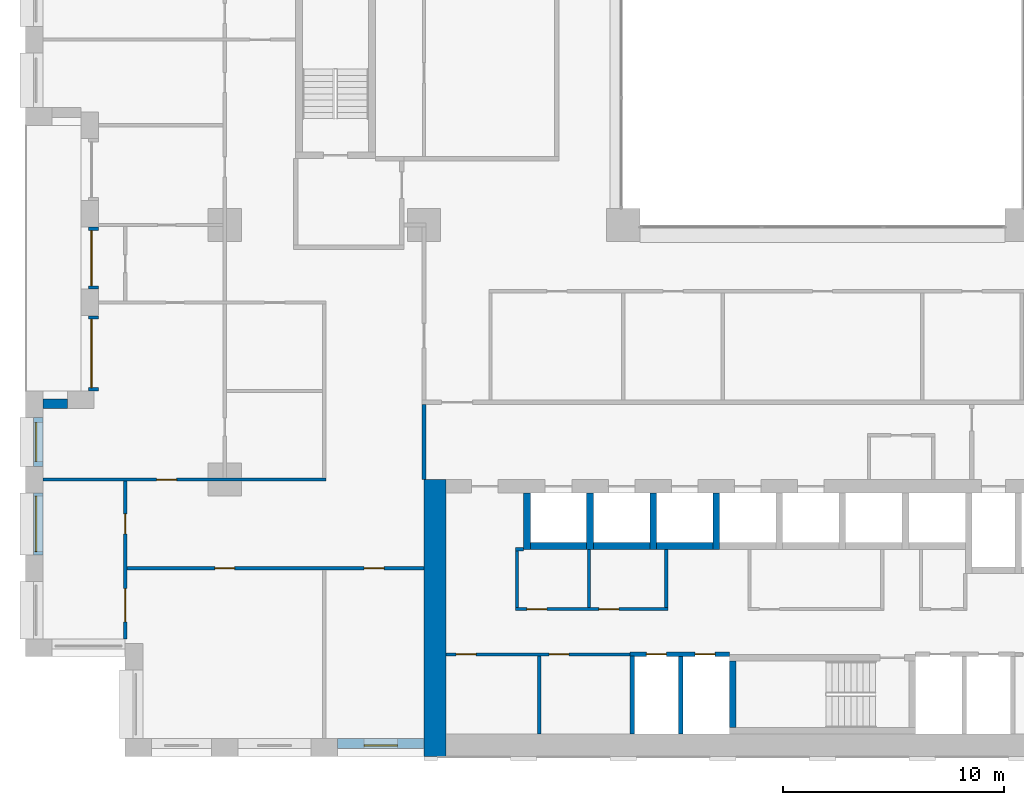
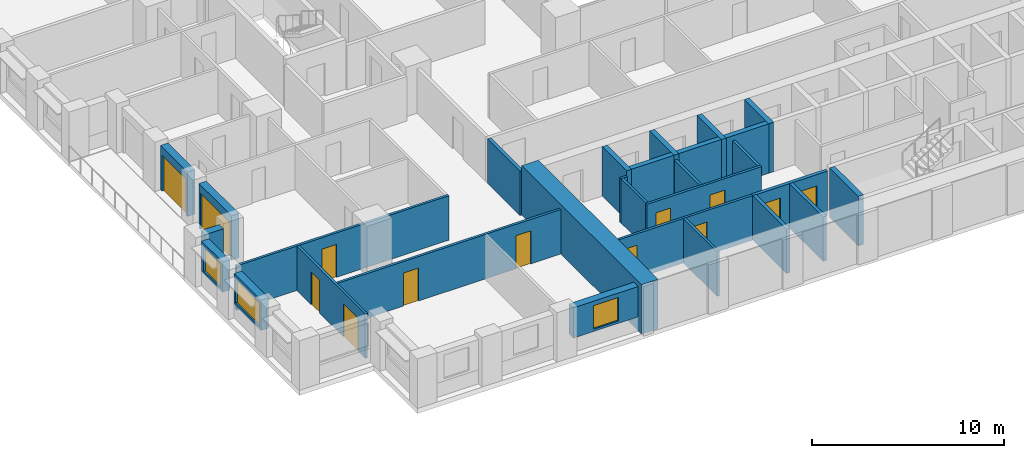
# One storey, part 9 of 20: 29 walls, 13 doors, 3 windows, 16 openings.
"""IFC4 building model written with IfcOpenShell, lengths in metres."""

from ifc_helpers import new_model, si_unit, direction, frame, frame_2d, origin, place, context, subcontext, project, spatial, rectangle, extrude, material, layer, layer_set, type_object, element, fill, save


model = new_model("IFC4")

# Units and contexts
model_context = context("Model", 3, precision=1e-05, world=origin(), true_north=direction((0.0, 1.0)))
body_context = subcontext(model_context, "Body", "Model", "MODEL_VIEW")
ifc_project = project(units=[si_unit("LENGTHUNIT", "METRE"), si_unit("AREAUNIT", "SQUARE_METRE"), si_unit("VOLUMEUNIT", "CUBIC_METRE"), si_unit("PLANEANGLEUNIT", "RADIAN"), si_unit("MASSUNIT", "GRAM", prefix="KILO")], contexts=[model_context])

# Site, building, storey
site_placement = place(None, origin())
site = spatial("IfcSite", under=ifc_project, at=site_placement, CompositionType="ELEMENT")
building_placement = place(site_placement, origin())
building = spatial("IfcBuilding", under=site, at=building_placement, Name="Brigalow Station Residences", CompositionType="ELEMENT")
storey_placement = place(building_placement, frame((0.0, 0.0, 38.39990234375)))
storey = spatial("IfcBuildingStorey", under=building, at=storey_placement, Name="L10", CompositionType="ELEMENT", Elevation=38.39990234375)

# Wall, opening, window
ifc_material_1 = material(Name="Clay brick masonry", Category="masonry")
ifc_layer_1 = layer(ifc_material_1, 0.449951171875)
ifc_layer_set_1 = layer_set([ifc_layer_1], Name="BRICK INFILL WALL 450")
wall_type_1 = type_object("IfcWallType", Name="BRICK INFILL WALL 450", PredefinedType="SOLIDWALL", material=ifc_layer_set_1)
wall_1_placement = place(storey_placement, frame((14.10009765625, 0.574951171875, 0.900146484375), z_axis=(0.0, 0.0, 1.0), x_axis=(1.0, 0.0, 0.0)))
wall_1 = element("IfcWall", 1, at=wall_1_placement, inside=storey, type_object=wall_type_1, Name="L10/ewall/W-L10-3", PredefinedType="SOLIDWALL", context=body_context, shape_type="SweptSolid", body=[
    extrude(rectangle(XDim=3.89990234375, YDim=0.449951171875, at=frame_2d((1.949951171875, 0.0))), origin(), (0.0, 0.0, 1.0), 1.929931640625),
])
opening_1_placement = place(wall_1_placement, frame((1.199951171875, 0.0, 0.14990234375)))
opening_1 = element("IfcOpeningElement", 2, at=opening_1_placement, cuts=wall_1, Name="Opening WT-1", PredefinedType="OPENING", context=body_context, shape_type="SweptSolid", body=[
    extrude(rectangle(XDim=1.5, YDim=1.5, at=frame_2d((0.75, 0.75))), frame((0.0, 0.23486328125, 0.0), z_axis=(0.0, -1.0, 0.0), x_axis=(1.0, 0.0, 0.0)), (0.0, 0.0, 1.0), 0.469970703125),
])
ifc_material_2 = material(Name="Anodised aluminium frame with double glazing", Category="aluminium")
window_type_1 = type_object("IfcWindowType", Name="WINDOW 1500x1500", PartitioningType="SINGLE_PANEL", PredefinedType="WINDOW", material=ifc_material_2)
window_1_placement = place(opening_1_placement, origin())
window_1 = element("IfcWindow", 3, at=window_1_placement, inside=storey, type_object=window_type_1, Name="L10/window/W-L10-3", OverallHeight=1.5, OverallWidth=1.5, PartitioningType="SINGLE_PANEL", PredefinedType="WINDOW", context=body_context, shape_type="SweptSolid", body=[
    extrude(rectangle(XDim=1.5, YDim=1.5, at=frame_2d((0.75, 0.75))), frame((0.0, -0.06494140625, 0.0), z_axis=(0.0, -1.0, 0.0), x_axis=(1.0, 0.0, 0.0)), (0.0, 0.0, 1.0), 0.06005859375),
])
fill(opening_1, window_1)

# Wall, opening, door
wall_2_placement = place(storey_placement, frame((3.074951171875, 23.89990234375, 0.0), z_axis=(0.0, 0.0, 1.0), x_axis=(0.0, -1.0, 0.0)))
wall_2 = element("IfcWall", 4, at=wall_2_placement, inside=storey, type_object=wall_type_1, Name="L10/ewall/W-L10-48", PredefinedType="SOLIDWALL", context=body_context, shape_type="SweptSolid", body=[
    extrude(rectangle(XDim=2.7998046875, YDim=0.449951171875, at=frame_2d((1.39990234375, 0.0))), origin(), (0.0, 0.0, 1.0), 2.830078125),
])
opening_2_placement = place(wall_2_placement, frame((0.14990234375, 0.0, 0.0)))
opening_2 = element("IfcOpeningElement", 5, at=opening_2_placement, cuts=wall_2, Name="Opening D-B2500", PredefinedType="OPENING", context=body_context, shape_type="SweptSolid", body=[
    extrude(rectangle(XDim=2.5, YDim=2.300048828125, at=frame_2d((1.25, 1.14990234375))), frame((0.0, 0.23486328125, 0.0), z_axis=(0.0, -1.0, 0.0), x_axis=(1.0, 0.0, 0.0)), (0.0, 0.0, 1.0), 0.469970703125),
])
ifc_material_3 = material(Name="Anodised aluminium frame with double glazing", Category="aluminium")
door_type_1 = type_object("IfcDoorType", Name="BALCONY SLIDING DOOR 2500x2300", OperationType="SLIDING_TO_LEFT", PredefinedType="DOOR", material=ifc_material_3)
door_1_placement = place(opening_2_placement, origin())
door_1 = element("IfcDoor", 6, at=door_1_placement, inside=storey, type_object=door_type_1, Name="L10/balcony-door/W-L10-48", OperationType="SLIDING_TO_LEFT", OverallHeight=2.300048828125, OverallWidth=2.5, PredefinedType="DOOR", context=body_context, shape_type="SweptSolid", body=[
    extrude(rectangle(XDim=2.5, YDim=2.300048828125, at=frame_2d((1.25, 1.14990234375))), frame((0.0, -0.06982421875, 0.0), z_axis=(0.0, -1.0, 0.0), x_axis=(1.0, 0.0, 0.0)), (0.0, 0.0, 1.0), 0.050048828125),
])
fill(opening_2, door_1)

wall_3_placement = place(storey_placement, frame((3.074951171875, 19.89990234375, 0.0), z_axis=(0.0, 0.0, 1.0), x_axis=(0.0, -1.0, 0.0)))
wall_3 = element("IfcWall", 7, at=wall_3_placement, inside=storey, type_object=wall_type_1, Name="L10/ewall/W-L10-49", PredefinedType="SOLIDWALL", context=body_context, shape_type="SweptSolid", body=[
    extrude(rectangle(XDim=3.39990234375, YDim=0.449951171875, at=frame_2d((1.699951171875, 0.0))), origin(), (0.0, 0.0, 1.0), 2.830078125),
])
opening_3_placement = place(wall_3_placement, frame((0.14990234375, 0.0, 0.0)))
opening_3 = element("IfcOpeningElement", 8, at=opening_3_placement, cuts=wall_3, Name="Opening D-B3100", PredefinedType="OPENING", context=body_context, shape_type="SweptSolid", body=[
    extrude(rectangle(XDim=3.10009765625, YDim=2.300048828125, at=frame_2d((1.550048828125, 1.14990234375))), frame((0.0, 0.23486328125, 0.0), z_axis=(0.0, -1.0, 0.0), x_axis=(1.0, 0.0, 0.0)), (0.0, 0.0, 1.0), 0.469970703125),
])
ifc_material_4 = material(Name="Anodised aluminium frame with double glazing", Category="aluminium")
door_type_2 = type_object("IfcDoorType", Name="BALCONY SLIDING DOOR 3100x2300", OperationType="SLIDING_TO_LEFT", PredefinedType="DOOR", material=ifc_material_4)
door_2_placement = place(opening_3_placement, origin())
door_2 = element("IfcDoor", 9, at=door_2_placement, inside=storey, type_object=door_type_2, Name="L10/balcony-door/W-L10-49", OperationType="SLIDING_TO_LEFT", OverallHeight=2.300048828125, OverallWidth=3.10009765625, PredefinedType="DOOR", context=body_context, shape_type="SweptSolid", body=[
    extrude(rectangle(XDim=3.10009765625, YDim=2.300048828125, at=frame_2d((1.550048828125, 1.14990234375))), frame((0.0, -0.06982421875, 0.0), z_axis=(0.0, -1.0, 0.0), x_axis=(1.0, 0.0, 0.0)), (0.0, 0.0, 1.0), 0.050048828125),
])
fill(opening_3, door_2)

# Wall
wall_4_placement = place(storey_placement, frame((1.89990234375, 15.925048828125, 0.900146484375), z_axis=(0.0, 0.0, 1.0), x_axis=(-1.0, 0.0, 0.0)))
element("IfcWall", 10, at=wall_4_placement, inside=storey, type_object=wall_type_1, Name="L10/ewall/W-L10-50", PredefinedType="SOLIDWALL", context=body_context, shape_type="SweptSolid", body=[
    extrude(rectangle(XDim=1.099853515625, YDim=0.449951171875, at=frame_2d((0.5498046875, 0.0))), origin(), (0.0, 0.0, 1.0), 1.929931640625),
])

# Wall, opening, window
wall_5_placement = place(storey_placement, frame((0.574951171875, 15.300048828125, 0.900146484375), z_axis=(0.0, 0.0, 1.0), x_axis=(0.0, -1.0, 0.0)))
wall_5 = element("IfcWall", 11, at=wall_5_placement, inside=storey, type_object=wall_type_1, Name="L10/ewall/W-L10-51", PredefinedType="SOLIDWALL", context=body_context, shape_type="SweptSolid", body=[
    extrude(rectangle(XDim=2.199951171875, YDim=0.449951171875, at=frame_2d((1.10009765625, 0.0))), origin(), (0.0, 0.0, 1.0), 1.929931640625),
])
opening_4_placement = place(wall_5_placement, frame((0.22509765625, 0.0, 0.14990234375)))
opening_4 = element("IfcOpeningElement", 12, at=opening_4_placement, cuts=wall_5, Name="Opening WT-4", PredefinedType="OPENING", context=body_context, shape_type="SweptSolid", body=[
    extrude(rectangle(XDim=1.75, YDim=1.5, at=frame_2d((0.875, 0.75))), frame((0.0, 0.23486328125, 0.0), z_axis=(0.0, -1.0, 0.0), x_axis=(1.0, 0.0, 0.0)), (0.0, 0.0, 1.0), 0.469970703125),
])
ifc_material_5 = material(Name="Anodised aluminium frame with double glazing", Category="aluminium")
window_type_2 = type_object("IfcWindowType", Name="WINDOW 1750x1500", PartitioningType="SINGLE_PANEL", PredefinedType="WINDOW", material=ifc_material_5)
window_2_placement = place(opening_4_placement, origin())
window_2 = element("IfcWindow", 13, at=window_2_placement, inside=storey, type_object=window_type_2, Name="L10/window/W-L10-51", OverallHeight=1.5, OverallWidth=1.75, PartitioningType="SINGLE_PANEL", PredefinedType="WINDOW", context=body_context, shape_type="SweptSolid", body=[
    extrude(rectangle(XDim=1.75, YDim=1.5, at=frame_2d((0.875, 0.75))), frame((0.0, -0.06494140625, 0.0), z_axis=(0.0, -1.0, 0.0), x_axis=(1.0, 0.0, 0.0)), (0.0, 0.0, 1.0), 0.06005859375),
])
fill(opening_4, window_2)

wall_6_placement = place(storey_placement, frame((0.574951171875, 11.89990234375, 0.900146484375), z_axis=(0.0, 0.0, 1.0), x_axis=(0.0, -1.0, 0.0)))
wall_6 = element("IfcWall", 14, at=wall_6_placement, inside=storey, type_object=wall_type_1, Name="L10/ewall/W-L10-52", PredefinedType="SOLIDWALL", context=body_context, shape_type="SweptSolid", body=[
    extrude(rectangle(XDim=2.7998046875, YDim=0.449951171875, at=frame_2d((1.39990234375, 0.0))), origin(), (0.0, 0.0, 1.0), 1.929931640625),
])
opening_5_placement = place(wall_6_placement, frame((0.14990234375, 0.0, 0.14990234375)))
opening_5 = element("IfcOpeningElement", 15, at=opening_5_placement, cuts=wall_6, Name="Opening WT-5", PredefinedType="OPENING", context=body_context, shape_type="SweptSolid", body=[
    extrude(rectangle(XDim=2.5, YDim=1.5, at=frame_2d((1.25, 0.75))), frame((0.0, 0.23486328125, 0.0), z_axis=(0.0, -1.0, 0.0), x_axis=(1.0, 0.0, 0.0)), (0.0, 0.0, 1.0), 0.469970703125),
])
ifc_material_6 = material(Name="Anodised aluminium frame with double glazing", Category="aluminium")
window_type_3 = type_object("IfcWindowType", Name="WINDOW 2500x1500", PartitioningType="SINGLE_PANEL", PredefinedType="WINDOW", material=ifc_material_6)
window_3_placement = place(opening_5_placement, origin())
window_3 = element("IfcWindow", 16, at=window_3_placement, inside=storey, type_object=window_type_3, Name="L10/window/W-L10-52", OverallHeight=1.5, OverallWidth=2.5, PartitioningType="SINGLE_PANEL", PredefinedType="WINDOW", context=body_context, shape_type="SweptSolid", body=[
    extrude(rectangle(XDim=2.5, YDim=1.5, at=frame_2d((1.25, 0.75))), frame((0.0, -0.06494140625, 0.0), z_axis=(0.0, -1.0, 0.0), x_axis=(1.0, 0.0, 0.0)), (0.0, 0.0, 1.0), 0.06005859375),
])
fill(opening_5, window_3)

# Walls
ifc_material_7 = material(Name="Concrete C80", Category="concrete")
ifc_layer_2 = layer(ifc_material_7, 1.0)
ifc_layer_set_2 = layer_set([ifc_layer_2], Name="CORE SHEAR WALL 1000 C80")
wall_type_2 = type_object("IfcWallType", Name="CORE SHEAR WALL 1000 C80", PredefinedType="SHEAR", material=ifc_layer_set_2)
wall_7_placement = place(storey_placement, frame((18.5, 0.0, 0.0), z_axis=(0.0, 0.0, 1.0), x_axis=(0.0, 1.0, 0.0)))
element("IfcWall", 17, at=wall_7_placement, inside=storey, type_object=wall_type_2, Name="CORE WALL OUT-W L10", PredefinedType="SHEAR", context=body_context, shape_type="SweptSolid", body=[
    extrude(rectangle(XDim=12.5, YDim=1.0, at=frame_2d((6.25, 0.0))), origin(), (0.0, 0.0, 1.0), 3.150146484375),
])
ifc_material_8 = material(Name="Concrete C80", Category="concrete")
ifc_layer_3 = layer(ifc_material_8, 0.300048828125)
ifc_layer_set_3 = layer_set([ifc_layer_3], Name="CORE SHEAR WALL 300 C80")
wall_type_3 = type_object("IfcWallType", Name="CORE SHEAR WALL 300 C80", PredefinedType="SHEAR", material=ifc_layer_set_3)
wall_8_placement = place(storey_placement, frame((22.800048828125, 9.5, 0.0), z_axis=(0.0, 0.0, 1.0), x_axis=(1.0, 0.0, 0.0)))
element("IfcWall", 18, at=wall_8_placement, inside=storey, type_object=wall_type_3, Name="CORE WALL SH-P1-S L10", PredefinedType="SHEAR", context=body_context, shape_type="SweptSolid", body=[
    extrude(rectangle(XDim=2.550048828125, YDim=0.300048828125, at=frame_2d((1.27490234375, 0.0))), origin(), (0.0, 0.0, 1.0), 3.150146484375),
])
wall_9_placement = place(storey_placement, frame((22.64990234375, 9.35009765625, 0.0), z_axis=(0.0, 0.0, 1.0), x_axis=(0.0, 1.0, 0.0)))
element("IfcWall", 19, at=wall_9_placement, inside=storey, type_object=wall_type_3, Name="CORE WALL SH-P1-W L10", PredefinedType="SHEAR", context=body_context, shape_type="SweptSolid", body=[
    extrude(rectangle(XDim=2.5498046875, YDim=0.300048828125, at=frame_2d((1.27490234375, 0.0))), origin(), (0.0, 0.0, 1.0), 3.150146484375),
])
wall_10_placement = place(storey_placement, frame((25.64990234375, 9.5, 0.0), z_axis=(0.0, 0.0, 1.0), x_axis=(1.0, 0.0, 0.0)))
element("IfcWall", 20, at=wall_10_placement, inside=storey, type_object=wall_type_3, Name="CORE WALL SH-P2-S L10", PredefinedType="SHEAR", context=body_context, shape_type="SweptSolid", body=[
    extrude(rectangle(XDim=2.550048828125, YDim=0.300048828125, at=frame_2d((1.27490234375, 0.0))), origin(), (0.0, 0.0, 1.0), 3.150146484375),
])
wall_11_placement = place(storey_placement, frame((25.5, 9.35009765625, 0.0), z_axis=(0.0, 0.0, 1.0), x_axis=(0.0, 1.0, 0.0)))
element("IfcWall", 21, at=wall_11_placement, inside=storey, type_object=wall_type_3, Name="CORE WALL SH-P2-W L10", PredefinedType="SHEAR", context=body_context, shape_type="SweptSolid", body=[
    extrude(rectangle(XDim=2.5498046875, YDim=0.300048828125, at=frame_2d((1.27490234375, 0.0))), origin(), (0.0, 0.0, 1.0), 3.150146484375),
])
wall_12_placement = place(storey_placement, frame((28.5, 9.5, 0.0), z_axis=(0.0, 0.0, 1.0), x_axis=(1.0, 0.0, 0.0)))
element("IfcWall", 22, at=wall_12_placement, inside=storey, type_object=wall_type_3, Name="CORE WALL SH-P3-S L10", PredefinedType="SHEAR", context=body_context, shape_type="SweptSolid", body=[
    extrude(rectangle(XDim=2.550048828125, YDim=0.300048828125, at=frame_2d((1.27490234375, 0.0))), origin(), (0.0, 0.0, 1.0), 3.150146484375),
])
for number, where, z_axis, x_axis, name in (
    (23, (28.35009765625, 9.35009765625, 0.0), (0.0, 0.0, 1.0), (0.0, 1.0, 0.0), "CORE WALL SH-P3-W L10"),
    (24, (31.199951171875, 9.35009765625, 0.0), (0.0, 0.0, 1.0), (0.0, 1.0, 0.0), "CORE WALL SH-P4-W L10"),
):
    element("IfcWall", number, at=place(storey_placement, frame(where, z_axis=z_axis, x_axis=x_axis)), inside=storey, type_object=wall_type_3, Name=name, PredefinedType="SHEAR", context=body_context, shape_type="SweptSolid", body=[
        extrude(rectangle(XDim=2.5498046875, YDim=0.300048828125, at=frame_2d((1.27490234375, 0.0))), origin(), (0.0, 0.0, 1.0), 3.150146484375),
    ])
wall_13_placement = place(storey_placement, frame((31.949951171875, 1.300048828125, 0.0), z_axis=(0.0, 0.0, 1.0), x_axis=(0.0, 1.0, 0.0)))
element("IfcWall", 25, at=wall_13_placement, inside=storey, type_object=wall_type_3, Name="CORE WALL ST-S2-W L10", PredefinedType="SHEAR", context=body_context, shape_type="SweptSolid", body=[
    extrude(rectangle(XDim=3.0, YDim=0.300048828125, at=frame_2d((1.5, 0.0))), origin(), (0.0, 0.0, 1.0), 3.150146484375),
])

# Wall, openings, doors
ifc_material_9 = material(Name="Concrete blockwork", Category="masonry")
ifc_layer_4 = layer(ifc_material_9, 0.199951171875)
ifc_layer_set_4 = layer_set([ifc_layer_4], Name="FIRE RATED CORE PARTITION 200")
wall_type_4 = type_object("IfcWallType", Name="FIRE RATED CORE PARTITION 200", PredefinedType="PARTITIONING", material=ifc_layer_set_4)
wall_14_placement = place(storey_placement, frame((27.300048828125, 4.60009765625, 0.0), z_axis=(0.0, 0.0, 1.0), x_axis=(1.0, 0.0, 0.0)))
wall_14 = element("IfcWall", 26, at=wall_14_placement, inside=storey, type_object=wall_type_4, Name="PW-5017", PredefinedType="PARTITIONING", context=body_context, shape_type="SweptSolid", body=[
    extrude(rectangle(XDim=4.5, YDim=0.199951171875, at=frame_2d((2.25, 0.0))), origin(), (0.0, 0.0, 1.0), 2.830078125),
])
opening_6_placement = place(wall_14_placement, frame((0.75, 0.0, 0.0)))
opening_6 = element("IfcOpeningElement", 27, at=opening_6_placement, cuts=wall_14, Name="Opening D-5007", PredefinedType="OPENING", context=body_context, shape_type="SweptSolid", body=[
    extrude(rectangle(XDim=0.89990234375, YDim=2.10009765625, at=frame_2d((0.449951171875, 1.050048828125))), frame((0.0, 0.10986328125, 0.0), z_axis=(0.0, -1.0, 0.0), x_axis=(1.0, 0.0, 0.0)), (0.0, 0.0, 1.0), 0.219970703125),
])
opening_7_placement = place(wall_14_placement, frame((2.949951171875, 0.0, 0.0)))
opening_7 = element("IfcOpeningElement", 28, at=opening_7_placement, cuts=wall_14, Name="Opening D-5008", PredefinedType="OPENING", context=body_context, shape_type="SweptSolid", body=[
    extrude(rectangle(XDim=0.89990234375, YDim=2.10009765625, at=frame_2d((0.449951171875, 1.050048828125))), frame((0.0, 0.10986328125, 0.0), z_axis=(0.0, -1.0, 0.0), x_axis=(1.0, 0.0, 0.0)), (0.0, 0.0, 1.0), 0.219970703125),
])
ifc_material_10 = material(Name="Steel fire door leaf in steel frame", Category="steel")
door_type_3 = type_object("IfcDoorType", Name="RISER ACCESS DOOR 900 x 2100 FD120", OperationType="SINGLE_SWING_LEFT", PredefinedType="DOOR", material=ifc_material_10)
door_3_placement = place(opening_6_placement, frame((0.89990234375, 0.0, 0.0), z_axis=(0.0, 0.0, 1.0), x_axis=(-1.0, 0.0, 0.0)))
door_3 = element("IfcDoor", 29, at=door_3_placement, inside=storey, type_object=door_type_3, Name="D-5007", OperationType="SINGLE_SWING_RIGHT", OverallHeight=2.10009765625, OverallWidth=0.89990234375, PredefinedType="DOOR", context=body_context, shape_type="SweptSolid", body=[
    extrude(rectangle(XDim=0.89990234375, YDim=2.10009765625, at=frame_2d((0.449951171875, 1.050048828125))), frame((0.0, 0.02490234375, 0.0), z_axis=(0.0, -1.0, 0.0), x_axis=(1.0, 0.0, 0.0)), (0.0, 0.0, 1.0), 0.050048828125),
])
fill(opening_6, door_3)
door_4_placement = place(opening_7_placement, frame((0.89990234375, 0.0, 0.0), z_axis=(0.0, 0.0, 1.0), x_axis=(-1.0, 0.0, 0.0)))
door_4 = element("IfcDoor", 30, at=door_4_placement, inside=storey, type_object=door_type_3, Name="D-5008", OperationType="SINGLE_SWING_RIGHT", OverallHeight=2.10009765625, OverallWidth=0.89990234375, PredefinedType="DOOR", context=body_context, shape_type="SweptSolid", body=[
    extrude(rectangle(XDim=0.89990234375, YDim=2.10009765625, at=frame_2d((0.449951171875, 1.050048828125))), frame((0.0, 0.02490234375, 0.0), z_axis=(0.0, -1.0, 0.0), x_axis=(1.0, 0.0, 0.0)), (0.0, 0.0, 1.0), 0.050048828125),
])
fill(opening_7, door_4)

# Walls
wall_15_placement = place(storey_placement, frame((27.39990234375, 1.0, 0.0), z_axis=(0.0, 0.0, 1.0), x_axis=(0.0, 1.0, 0.0)))
element("IfcWall", 31, at=wall_15_placement, inside=storey, type_object=wall_type_4, Name="PW-5027", PredefinedType="PARTITIONING", context=body_context, shape_type="SweptSolid", body=[
    extrude(rectangle(XDim=3.52490234375, YDim=0.199951171875, at=frame_2d((1.762451171875, 0.0))), origin(), (0.0, 0.0, 1.0), 2.830078125),
])
wall_16_placement = place(storey_placement, frame((29.60009765625, 1.0, 0.0), z_axis=(0.0, 0.0, 1.0), x_axis=(0.0, 1.0, 0.0)))
element("IfcWall", 32, at=wall_16_placement, inside=storey, type_object=wall_type_4, Name="PW-5006", PredefinedType="PARTITIONING", context=body_context, shape_type="SweptSolid", body=[
    extrude(rectangle(XDim=3.5, YDim=0.199951171875, at=frame_2d((1.75, 0.0))), origin(), (0.0, 0.0, 1.0), 2.830078125),
])
wall_17_placement = place(storey_placement, frame((18.0, 12.5, 0.0), z_axis=(0.0, 0.0, 1.0), x_axis=(0.0, 1.0, 0.0)))
element("IfcWall", 33, at=wall_17_placement, inside=storey, type_object=wall_type_4, Name="PW-5013", PredefinedType="PARTITIONING", context=body_context, shape_type="SweptSolid", body=[
    extrude(rectangle(XDim=3.39990234375, YDim=0.199951171875, at=frame_2d((1.699951171875, 0.0))), origin(), (0.0, 0.0, 1.0), 2.830078125),
])

# Wall, openings, doors
ifc_material_11 = material(Name="Plasterboard on steel stud partition", Category="steel")
ifc_layer_5 = layer(ifc_material_11, 0.14990234375)
ifc_layer_set_5 = layer_set([ifc_layer_5], Name="FLAT PARTITION 150")
wall_type_5 = type_object("IfcWallType", Name="FLAT PARTITION 150", PredefinedType="PARTITIONING", material=ifc_layer_set_5)
wall_18_placement = place(storey_placement, frame((4.574951171875, 8.5, 0.0), z_axis=(0.0, 0.0, 1.0), x_axis=(1.0, 0.0, 0.0)))
wall_18 = element("IfcWall", 34, at=wall_18_placement, inside=storey, type_object=wall_type_5, Name="PW-1C12", PredefinedType="PARTITIONING", context=body_context, shape_type="SweptSolid", body=[
    extrude(rectangle(XDim=13.425048828125, YDim=0.14990234375, at=frame_2d((6.71240234375, 0.0))), origin(), (0.0, 0.0, 1.0), 2.830078125),
])
opening_8_placement = place(wall_18_placement, frame((10.72509765625, 0.0, 0.0)))
opening_8 = element("IfcOpeningElement", 35, at=opening_8_placement, cuts=wall_18, Name="Opening D-1C12", PredefinedType="OPENING", context=body_context, shape_type="SweptSolid", body=[
    extrude(rectangle(XDim=0.89990234375, YDim=2.10009765625, at=frame_2d((0.449951171875, 1.050048828125))), frame((0.0, 0.0849609375, 0.0), z_axis=(0.0, -1.0, 0.0), x_axis=(1.0, 0.0, 0.0)), (0.0, 0.0, 1.0), 0.169921875),
])
opening_9_placement = place(wall_18_placement, frame((3.97509765625, 0.0, 0.0)))
opening_9 = element("IfcOpeningElement", 36, at=opening_9_placement, cuts=wall_18, Name="Opening D-1C14", PredefinedType="OPENING", context=body_context, shape_type="SweptSolid", body=[
    extrude(rectangle(XDim=0.89990234375, YDim=2.10009765625, at=frame_2d((0.449951171875, 1.050048828125))), frame((0.0, 0.0849609375, 0.0), z_axis=(0.0, -1.0, 0.0), x_axis=(1.0, 0.0, 0.0)), (0.0, 0.0, 1.0), 0.169921875),
])
ifc_material_12 = material(Name="Solid-core timber door leaf", Category="wood")
door_type_4 = type_object("IfcDoorType", Name="INTERNAL DOOR 900 x 2100", OperationType="SINGLE_SWING_LEFT", PredefinedType="DOOR", material=ifc_material_12)
door_5_placement = place(opening_8_placement, frame((0.89990234375, 0.0, 0.0), z_axis=(0.0, 0.0, 1.0), x_axis=(-1.0, 0.0, 0.0)))
door_5 = element("IfcDoor", 37, at=door_5_placement, inside=storey, type_object=door_type_4, Name="D-1C12", OperationType="SINGLE_SWING_RIGHT", OverallHeight=2.10009765625, OverallWidth=0.89990234375, PredefinedType="DOOR", context=body_context, shape_type="SweptSolid", body=[
    extrude(rectangle(XDim=0.89990234375, YDim=2.10009765625, at=frame_2d((0.449951171875, 1.050048828125))), frame((0.0, 0.02490234375, 0.0), z_axis=(0.0, -1.0, 0.0), x_axis=(1.0, 0.0, 0.0)), (0.0, 0.0, 1.0), 0.050048828125),
])
fill(opening_8, door_5)
door_6_placement = place(opening_9_placement, frame((0.89990234375, 0.0, 0.0), z_axis=(0.0, 0.0, 1.0), x_axis=(-1.0, 0.0, 0.0)))
door_6 = element("IfcDoor", 38, at=door_6_placement, inside=storey, type_object=door_type_4, Name="D-1C14", OperationType="SINGLE_SWING_LEFT", OverallHeight=2.10009765625, OverallWidth=0.89990234375, PredefinedType="DOOR", context=body_context, shape_type="SweptSolid", body=[
    extrude(rectangle(XDim=0.89990234375, YDim=2.10009765625, at=frame_2d((0.449951171875, 1.050048828125))), frame((0.0, 0.02490234375, 0.0), z_axis=(0.0, -1.0, 0.0), x_axis=(1.0, 0.0, 0.0)), (0.0, 0.0, 1.0), 0.050048828125),
])
fill(opening_9, door_6)

# Wall, opening, door
wall_19_placement = place(storey_placement, frame((0.800048828125, 12.5, 0.0), z_axis=(0.0, 0.0, 1.0), x_axis=(1.0, 0.0, 0.0)))
wall_19 = element("IfcWall", 39, at=wall_19_placement, inside=storey, type_object=wall_type_5, Name="PW-1C14", PredefinedType="PARTITIONING", context=body_context, shape_type="SweptSolid", body=[
    extrude(rectangle(XDim=12.77490234375, YDim=0.14990234375, at=frame_2d((6.387451171875, 0.0))), origin(), (0.0, 0.0, 1.0), 2.830078125),
])
opening_10_placement = place(wall_19_placement, frame((5.125, 0.0, 0.0)))
opening_10 = element("IfcOpeningElement", 40, at=opening_10_placement, cuts=wall_19, Name="Opening D-1C15", PredefinedType="OPENING", context=body_context, shape_type="SweptSolid", body=[
    extrude(rectangle(XDim=0.89990234375, YDim=2.10009765625, at=frame_2d((0.449951171875, 1.050048828125))), frame((0.0, 0.0849609375, 0.0), z_axis=(0.0, -1.0, 0.0), x_axis=(1.0, 0.0, 0.0)), (0.0, 0.0, 1.0), 0.169921875),
])
door_7_placement = place(opening_10_placement, origin())
door_7 = element("IfcDoor", 41, at=door_7_placement, inside=storey, type_object=door_type_4, Name="D-1C15", OperationType="SINGLE_SWING_RIGHT", OverallHeight=2.10009765625, OverallWidth=0.89990234375, PredefinedType="DOOR", context=body_context, shape_type="SweptSolid", body=[
    extrude(rectangle(XDim=0.89990234375, YDim=2.10009765625, at=frame_2d((0.449951171875, 1.050048828125))), frame((0.0, 0.02490234375, 0.0), z_axis=(0.0, -1.0, 0.0), x_axis=(1.0, 0.0, 0.0)), (0.0, 0.0, 1.0), 0.050048828125),
])
fill(opening_10, door_7)

# Wall, openings, doors
wall_20_placement = place(storey_placement, frame((4.5, 5.300048828125, 0.0), z_axis=(0.0, 0.0, 1.0), x_axis=(0.0, 1.0, 0.0)))
wall_20 = element("IfcWall", 42, at=wall_20_placement, inside=storey, type_object=wall_type_5, Name="PW-1C51", PredefinedType="PARTITIONING", context=body_context, shape_type="SweptSolid", body=[
    extrude(rectangle(XDim=7.125, YDim=0.14990234375, at=frame_2d((3.5625, 0.0))), origin(), (0.0, 0.0, 1.0), 2.830078125),
])
opening_11_placement = place(wall_20_placement, frame((4.75, 0.0, 0.0)))
opening_11 = element("IfcOpeningElement", 43, at=opening_11_placement, cuts=wall_20, Name="Opening D-1C07", PredefinedType="OPENING", context=body_context, shape_type="SweptSolid", body=[
    extrude(rectangle(XDim=0.89990234375, YDim=2.10009765625, at=frame_2d((0.449951171875, 1.050048828125))), frame((0.0, 0.0849609375, 0.0), z_axis=(0.0, -1.0, 0.0), x_axis=(1.0, 0.0, 0.0)), (0.0, 0.0, 1.0), 0.169921875),
])
opening_12_placement = place(wall_20_placement, frame((0.77490234375, 0.0, 0.0)))
opening_12 = element("IfcOpeningElement", 44, at=opening_12_placement, cuts=wall_20, Name="Opening D-1C08", PredefinedType="OPENING", context=body_context, shape_type="SweptSolid", body=[
    extrude(rectangle(XDim=1.5, YDim=2.10009765625, at=frame_2d((0.75, 1.050048828125))), frame((0.0, 0.0849609375, 0.0), z_axis=(0.0, -1.0, 0.0), x_axis=(1.0, 0.0, 0.0)), (0.0, 0.0, 1.0), 0.169921875),
])
door_8_placement = place(opening_11_placement, origin())
door_8 = element("IfcDoor", 45, at=door_8_placement, inside=storey, type_object=door_type_4, Name="D-1C07", OperationType="SINGLE_SWING_RIGHT", OverallHeight=2.10009765625, OverallWidth=0.89990234375, PredefinedType="DOOR", context=body_context, shape_type="SweptSolid", body=[
    extrude(rectangle(XDim=0.89990234375, YDim=2.10009765625, at=frame_2d((0.449951171875, 1.050048828125))), frame((0.0, 0.02490234375, 0.0), z_axis=(0.0, -1.0, 0.0), x_axis=(1.0, 0.0, 0.0)), (0.0, 0.0, 1.0), 0.050048828125),
])
fill(opening_11, door_8)
ifc_material_13 = material(Name="Solid-core timber door leaf", Category="wood")
door_type_5 = type_object("IfcDoorType", Name="INTERNAL DOUBLE DOOR 1500 x 2100", OperationType="DOUBLE_DOOR_SINGLE_SWING", PredefinedType="DOOR", material=ifc_material_13)
door_9_placement = place(opening_12_placement, origin())
door_9 = element("IfcDoor", 46, at=door_9_placement, inside=storey, type_object=door_type_5, Name="D-1C08", OperationType="DOUBLE_DOOR_SINGLE_SWING", OverallHeight=2.10009765625, OverallWidth=1.5, PredefinedType="DOOR", context=body_context, shape_type="SweptSolid", body=[
    extrude(rectangle(XDim=1.5, YDim=2.10009765625, at=frame_2d((0.75, 1.050048828125))), frame((0.0, 0.02490234375, 0.0), z_axis=(0.0, -1.0, 0.0), x_axis=(1.0, 0.0, 0.0)), (0.0, 0.0, 1.0), 0.050048828125),
])
fill(opening_12, door_9)

ifc_material_14 = material(Name="Plasterboard on steel studs", Category="steel")
ifc_layer_6 = layer(ifc_material_14, 0.14990234375)
ifc_layer_set_6 = layer_set([ifc_layer_6], Name="SERVICE ROOM PARTITION 150")
wall_type_6 = type_object("IfcWallType", Name="SERVICE ROOM PARTITION 150", PredefinedType="PARTITIONING", material=ifc_layer_set_6)
wall_21_placement = place(storey_placement, frame((19.0, 4.60009765625, 0.0), z_axis=(0.0, 0.0, 1.0), x_axis=(1.0, 0.0, 0.0)))
wall_21 = element("IfcWall", 47, at=wall_21_placement, inside=storey, type_object=wall_type_6, Name="PW-5019", PredefinedType="PARTITIONING", context=body_context, shape_type="SweptSolid", body=[
    extrude(rectangle(XDim=8.300048828125, YDim=0.14990234375, at=frame_2d((4.14990234375, 0.0))), origin(), (0.0, 0.0, 1.0), 2.830078125),
])
opening_13_placement = place(wall_21_placement, frame((0.449951171875, 0.0, 0.0)))
opening_13 = element("IfcOpeningElement", 48, at=opening_13_placement, cuts=wall_21, Name="Opening D-5025", PredefinedType="OPENING", context=body_context, shape_type="SweptSolid", body=[
    extrude(rectangle(XDim=0.89990234375, YDim=2.10009765625, at=frame_2d((0.449951171875, 1.050048828125))), frame((0.0, 0.0849609375, 0.0), z_axis=(0.0, -1.0, 0.0), x_axis=(1.0, 0.0, 0.0)), (0.0, 0.0, 1.0), 0.169921875),
])
opening_14_placement = place(wall_21_placement, frame((4.64990234375, 0.0, 0.0)))
opening_14 = element("IfcOpeningElement", 49, at=opening_14_placement, cuts=wall_21, Name="Opening D-5074", PredefinedType="OPENING", context=body_context, shape_type="SweptSolid", body=[
    extrude(rectangle(XDim=0.89990234375, YDim=2.10009765625, at=frame_2d((0.449951171875, 1.050048828125))), frame((0.0, 0.0849609375, 0.0), z_axis=(0.0, -1.0, 0.0), x_axis=(1.0, 0.0, 0.0)), (0.0, 0.0, 1.0), 0.169921875),
])
ifc_material_15 = material(Name="Steel door leaf in steel frame", Category="steel")
door_type_6 = type_object("IfcDoorType", Name="SERVICE ROOM DOOR 900 x 2100 FD60", OperationType="SINGLE_SWING_LEFT", PredefinedType="DOOR", material=ifc_material_15)
door_10_placement = place(opening_13_placement, frame((0.89990234375, 0.0, 0.0), z_axis=(0.0, 0.0, 1.0), x_axis=(-1.0, 0.0, 0.0)))
door_10 = element("IfcDoor", 50, at=door_10_placement, inside=storey, type_object=door_type_6, Name="D-5025", OperationType="SINGLE_SWING_RIGHT", OverallHeight=2.10009765625, OverallWidth=0.89990234375, PredefinedType="DOOR", context=body_context, shape_type="SweptSolid", body=[
    extrude(rectangle(XDim=0.89990234375, YDim=2.10009765625, at=frame_2d((0.449951171875, 1.050048828125))), frame((0.0, 0.02490234375, 0.0), z_axis=(0.0, -1.0, 0.0), x_axis=(1.0, 0.0, 0.0)), (0.0, 0.0, 1.0), 0.050048828125),
])
fill(opening_13, door_10)
door_11_placement = place(opening_14_placement, frame((0.89990234375, 0.0, 0.0), z_axis=(0.0, 0.0, 1.0), x_axis=(-1.0, 0.0, 0.0)))
door_11 = element("IfcDoor", 51, at=door_11_placement, inside=storey, type_object=door_type_6, Name="D-5074", OperationType="SINGLE_SWING_RIGHT", OverallHeight=2.10009765625, OverallWidth=0.89990234375, PredefinedType="DOOR", context=body_context, shape_type="SweptSolid", body=[
    extrude(rectangle(XDim=0.89990234375, YDim=2.10009765625, at=frame_2d((0.449951171875, 1.050048828125))), frame((0.0, 0.02490234375, 0.0), z_axis=(0.0, -1.0, 0.0), x_axis=(1.0, 0.0, 0.0)), (0.0, 0.0, 1.0), 0.050048828125),
])
fill(opening_14, door_11)

wall_22_placement = place(storey_placement, frame((22.125, 6.64990234375, 0.0), z_axis=(0.0, 0.0, 1.0), x_axis=(1.0, 0.0, 0.0)))
wall_22 = element("IfcWall", 52, at=wall_22_placement, inside=storey, type_object=wall_type_6, Name="PW-5126", PredefinedType="PARTITIONING", context=body_context, shape_type="SweptSolid", body=[
    extrude(rectangle(XDim=6.89990234375, YDim=0.14990234375, at=frame_2d((3.449951171875, 0.0))), origin(), (0.0, 0.0, 1.0), 2.830078125),
])
opening_15_placement = place(wall_22_placement, frame((0.52490234375, 0.0, 0.0)))
opening_15 = element("IfcOpeningElement", 53, at=opening_15_placement, cuts=wall_22, Name="Opening D-5021", PredefinedType="OPENING", context=body_context, shape_type="SweptSolid", body=[
    extrude(rectangle(XDim=0.89990234375, YDim=2.10009765625, at=frame_2d((0.449951171875, 1.050048828125))), frame((0.0, 0.0849609375, 0.0), z_axis=(0.0, -1.0, 0.0), x_axis=(1.0, 0.0, 0.0)), (0.0, 0.0, 1.0), 0.169921875),
])
opening_16_placement = place(wall_22_placement, frame((3.77490234375, 0.0, 0.0)))
opening_16 = element("IfcOpeningElement", 54, at=opening_16_placement, cuts=wall_22, Name="Opening D-5072", PredefinedType="OPENING", context=body_context, shape_type="SweptSolid", body=[
    extrude(rectangle(XDim=0.89990234375, YDim=2.10009765625, at=frame_2d((0.449951171875, 1.050048828125))), frame((0.0, 0.0849609375, 0.0), z_axis=(0.0, -1.0, 0.0), x_axis=(1.0, 0.0, 0.0)), (0.0, 0.0, 1.0), 0.169921875),
])
door_12_placement = place(opening_15_placement, origin())
door_12 = element("IfcDoor", 55, at=door_12_placement, inside=storey, type_object=door_type_6, Name="D-5021", OperationType="SINGLE_SWING_LEFT", OverallHeight=2.10009765625, OverallWidth=0.89990234375, PredefinedType="DOOR", context=body_context, shape_type="SweptSolid", body=[
    extrude(rectangle(XDim=0.89990234375, YDim=2.10009765625, at=frame_2d((0.449951171875, 1.050048828125))), frame((0.0, 0.02490234375, 0.0), z_axis=(0.0, -1.0, 0.0), x_axis=(1.0, 0.0, 0.0)), (0.0, 0.0, 1.0), 0.050048828125),
])
fill(opening_15, door_12)
door_13_placement = place(opening_16_placement, origin())
door_13 = element("IfcDoor", 56, at=door_13_placement, inside=storey, type_object=door_type_6, Name="D-5072", OperationType="SINGLE_SWING_LEFT", OverallHeight=2.10009765625, OverallWidth=0.89990234375, PredefinedType="DOOR", context=body_context, shape_type="SweptSolid", body=[
    extrude(rectangle(XDim=0.89990234375, YDim=2.10009765625, at=frame_2d((0.449951171875, 1.050048828125))), frame((0.0, 0.02490234375, 0.0), z_axis=(0.0, -1.0, 0.0), x_axis=(1.0, 0.0, 0.0)), (0.0, 0.0, 1.0), 0.050048828125),
])
fill(opening_16, door_13)

# Walls
wall_23_placement = place(storey_placement, frame((22.125, 9.35009765625, 0.0), z_axis=(0.0, 0.0, 1.0), x_axis=(1.0, 0.0, 0.0)))
element("IfcWall", 57, at=wall_23_placement, inside=storey, type_object=wall_type_6, Name="PW-5022", PredefinedType="PARTITIONING", context=body_context, shape_type="SweptSolid", body=[
    extrude(rectangle(XDim=0.375, YDim=0.14990234375, at=frame_2d((0.1875, 0.0))), origin(), (0.0, 0.0, 1.0), 2.830078125),
])
wall_24_placement = place(storey_placement, frame((23.199951171875, 1.0, 0.0), z_axis=(0.0, 0.0, 1.0), x_axis=(0.0, 1.0, 0.0)))
element("IfcWall", 58, at=wall_24_placement, inside=storey, type_object=wall_type_6, Name="PW-5130", PredefinedType="PARTITIONING", context=body_context, shape_type="SweptSolid", body=[
    extrude(rectangle(XDim=3.52490234375, YDim=0.14990234375, at=frame_2d((1.762451171875, 0.0))), origin(), (0.0, 0.0, 1.0), 2.830078125),
])
wall_25_placement = place(storey_placement, frame((22.199951171875, 6.72509765625, 0.0), z_axis=(0.0, 0.0, 1.0), x_axis=(0.0, 1.0, 0.0)))
element("IfcWall", 59, at=wall_25_placement, inside=storey, type_object=wall_type_6, Name="PW-5030", PredefinedType="PARTITIONING", context=body_context, shape_type="SweptSolid", body=[
    extrude(rectangle(XDim=2.5498046875, YDim=0.14990234375, at=frame_2d((1.27490234375, 0.0))), origin(), (0.0, 0.0, 1.0), 2.830078125),
])
for number, where, z_axis, x_axis, name in (
    (60, (25.449951171875, 6.72509765625, 0.0), (0.0, 0.0, 1.0), (0.0, 1.0, 0.0), "PW-5133"),
    (61, (28.949951171875, 6.72509765625, 0.0), (0.0, 0.0, 1.0), (0.0, 1.0, 0.0), "PW-5134"),
):
    element("IfcWall", number, at=place(storey_placement, frame(where, z_axis=z_axis, x_axis=x_axis)), inside=storey, type_object=wall_type_6, Name=name, PredefinedType="PARTITIONING", context=body_context, shape_type="SweptSolid", body=[
        extrude(rectangle(XDim=2.625, YDim=0.14990234375, at=frame_2d((1.3125, 0.0))), origin(), (0.0, 0.0, 1.0), 2.830078125),
    ])

save(model, "model.ifc")
